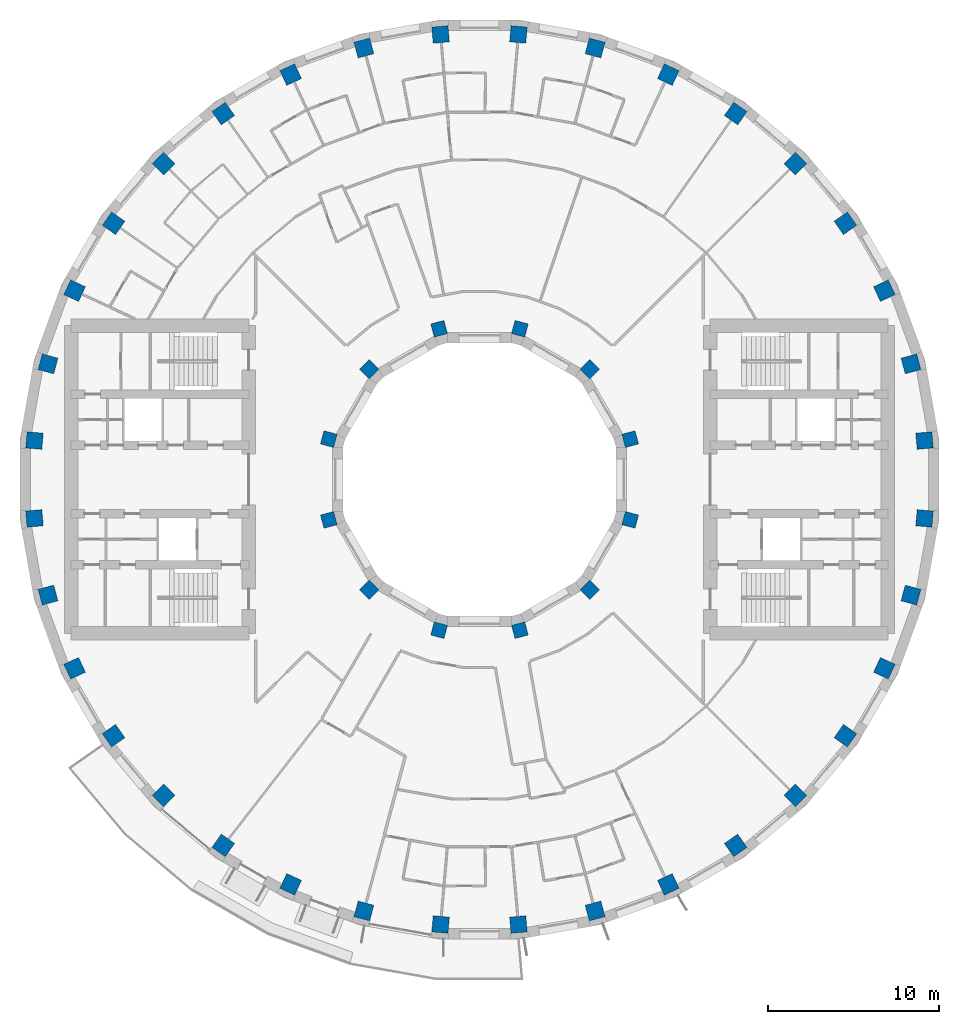
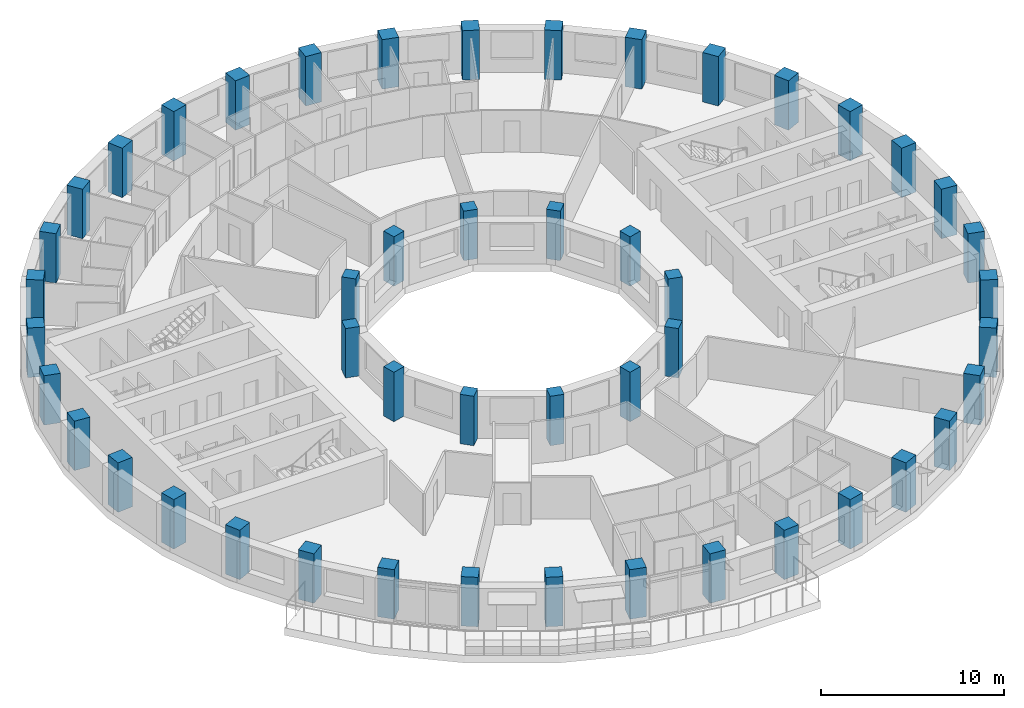
# One storey, part 1 of 14: 48 columns.
"""IFC4 building model written with IfcOpenShell, lengths in metres."""

from ifc_helpers import new_model, si_unit, direction, frame, origin, origin_2d, place, context, subcontext, project, spatial, rectangle, extrude, material, material_profile, profile_set, type_object, element, save


model = new_model("IFC4")

# Units and contexts
model_context = context("Model", 3, precision=1e-05, world=origin(), true_north=direction((0.0, 1.0)))
body_context = subcontext(model_context, "Body", "Model", "MODEL_VIEW")
ifc_project = project(units=[si_unit("LENGTHUNIT", "METRE"), si_unit("AREAUNIT", "SQUARE_METRE"), si_unit("VOLUMEUNIT", "CUBIC_METRE"), si_unit("PLANEANGLEUNIT", "RADIAN"), si_unit("MASSUNIT", "GRAM", prefix="KILO")], contexts=[model_context])

# Site, building, storey
site_placement = place(None, origin())
site = spatial("IfcSite", under=ifc_project, at=site_placement, CompositionType="ELEMENT")
building_placement = place(site_placement, origin())
building = spatial("IfcBuilding", under=site, at=building_placement, Name="Saqina Gate Tower", CompositionType="ELEMENT")
storey_placement = place(building_placement, frame((0.0, 0.0, 138.10009765625)))
storey = spatial("IfcBuildingStorey", under=building, at=storey_placement, Name="L39", CompositionType="ELEMENT", Elevation=138.10009765625)

# Columns
ifc_material_1 = material(Name="Concrete C70/85", Category="concrete")
ifc_material_profile_1 = material_profile(ifc_material_1, rectangle(XDim=0.800048828125, YDim=0.800048828125, at=origin_2d()), Name="RC 800x800")
ifc_profile_set_1 = profile_set([ifc_material_profile_1], Name="Concrete C70/85")
column_type_1 = type_object("IfcColumnType", Name="STR-COL-IN-B", PredefinedType="COLUMN", material=ifc_profile_set_1)
for number, where, z_axis, x_axis, name in (
    (1, (8.821044921875, 2.363525390625, 0.0), (0.0, 0.0, 1.0), (0.965925826289, 0.258819045103, 0.0), "L39-ICL01"),
    (2, (6.45751953125, 6.45751953125, 0.0), (0.0, 0.0, 1.0), (0.707106781187, 0.707106781187, 0.0), "L39-ICL02"),
    (3, (2.363525390625, 8.821044921875, 0.0), (0.0, 0.0, 1.0), (0.258819045103, 0.965925826289, 0.0), "L39-ICL03"),
    (4, (-2.363525390625, 8.821044921875, 0.0), (0.0, 0.0, 1.0), (-0.258819045103, 0.965925826289, 0.0), "L39-ICL04"),
    (5, (-6.45751953125, 6.45751953125, 0.0), (0.0, 0.0, 1.0), (-0.707106781187, 0.707106781187, 0.0), "L39-ICL05"),
    (6, (-8.821044921875, 2.363525390625, 0.0), (0.0, 0.0, 1.0), (-0.965925826289, 0.258819045103, 0.0), "L39-ICL06"),
    (7, (-8.821044921875, -2.363525390625, 0.0), (0.0, 0.0, 1.0), (-0.965925826289, -0.258819045103, 0.0), "L39-ICL07"),
    (8, (-6.45751953125, -6.45751953125, 0.0), (0.0, 0.0, 1.0), (-0.707106781187, -0.707106781187, 0.0), "L39-ICL08"),
    (9, (-2.363525390625, -8.821044921875, 0.0), (0.0, 0.0, 1.0), (-0.258819045103, -0.965925826289, 0.0), "L39-ICL09"),
    (10, (2.363525390625, -8.821044921875, 0.0), (0.0, 0.0, 1.0), (0.258819045103, -0.965925826289, 0.0), "L39-ICL10"),
    (11, (6.45751953125, -6.45751953125, 0.0), (0.0, 0.0, 1.0), (0.707106781187, -0.707106781187, 0.0), "L39-ICL11"),
    (12, (8.821044921875, -2.363525390625, 0.0), (0.0, 0.0, 1.0), (0.965925826289, -0.258819045103, 0.0), "L39-ICL12"),
):
    element("IfcColumn", number, at=place(storey_placement, frame(where, z_axis=z_axis, x_axis=x_axis)), inside=storey, type_object=column_type_1, Name=name, PredefinedType="COLUMN", context=body_context, shape_type="SweptSolid", body=[
        extrude(rectangle(XDim=0.800048828125, YDim=0.800048828125, at=origin_2d()), origin(), (0.0, 0.0, 1.0), 3.2998046875),
    ])
ifc_material_2 = material(Name="Concrete C70/85", Category="concrete")
ifc_material_profile_2 = material_profile(ifc_material_2, rectangle(XDim=0.949951171875, YDim=0.949951171875, at=origin_2d()), Name="RC 950x950")
ifc_profile_set_2 = profile_set([ifc_material_profile_2], Name="Concrete C70/85")
column_type_2 = type_object("IfcColumnType", Name="STR-COL-OUT-B", PredefinedType="COLUMN", material=ifc_profile_set_2)
for number, where, z_axis, x_axis, name in (
    (13, (26.050537109375, 2.279052734375, 0.0), (0.0, 0.0, 1.0), (0.996194698092, 0.087155742748, 0.0), "L39-COL01"),
    (14, (25.259033203125, 6.76806640625, 0.0), (0.0, 0.0, 1.0), (0.965925826289, 0.258819045103, 0.0), "L39-COL02"),
    (15, (23.699951171875, 11.051513671875, 0.0), (0.0, 0.0, 1.0), (0.906307787037, 0.422618261741, 0.0), "L39-COL03"),
    (16, (21.4208984375, 14.9990234375, 0.0), (0.0, 0.0, 1.0), (0.819152044289, 0.573576436351, 0.0), "L39-COL04"),
    (17, (18.49072265625, 18.49072265625, 0.0), (0.0, 0.0, 1.0), (0.707106781187, 0.707106781187, 0.0), "L39-COL05"),
    (18, (14.9990234375, 21.4208984375, 0.0), (0.0, 0.0, 1.0), (0.573576436351, 0.819152044289, 0.0), "L39-COL06"),
    (19, (11.051513671875, 23.699951171875, 0.0), (0.0, 0.0, 1.0), (0.422618261741, 0.906307787037, 0.0), "L39-COL07"),
    (20, (6.76806640625, 25.259033203125, 0.0), (0.0, 0.0, 1.0), (0.258819045103, 0.965925826289, 0.0), "L39-COL08"),
    (21, (2.279052734375, 26.050537109375, 0.0), (0.0, 0.0, 1.0), (0.087155742748, 0.996194698092, 0.0), "L39-COL09"),
    (22, (-2.279052734375, 26.050537109375, 0.0), (0.0, 0.0, 1.0), (-0.087155742748, 0.996194698092, 0.0), "L39-COL10"),
    (23, (-6.76806640625, 25.259033203125, 0.0), (0.0, 0.0, 1.0), (-0.258819045103, 0.965925826289, 0.0), "L39-COL11"),
    (24, (-11.051513671875, 23.699951171875, 0.0), (0.0, 0.0, 1.0), (-0.422618261741, 0.906307787037, 0.0), "L39-COL12"),
    (25, (-14.9990234375, 21.4208984375, 0.0), (0.0, 0.0, 1.0), (-0.573576436351, 0.819152044289, 0.0), "L39-COL13"),
    (26, (-18.49072265625, 18.49072265625, 0.0), (0.0, 0.0, 1.0), (-0.707106781187, 0.707106781187, 0.0), "L39-COL14"),
    (27, (-21.4208984375, 14.9990234375, 0.0), (0.0, 0.0, 1.0), (-0.819152044289, 0.573576436351, 0.0), "L39-COL15"),
    (28, (-23.699951171875, 11.051513671875, 0.0), (0.0, 0.0, 1.0), (-0.906307787037, 0.422618261741, 0.0), "L39-COL16"),
    (29, (-25.259033203125, 6.76806640625, 0.0), (0.0, 0.0, 1.0), (-0.965925826289, 0.258819045103, 0.0), "L39-COL17"),
    (30, (-26.050537109375, 2.279052734375, 0.0), (0.0, 0.0, 1.0), (-0.996194698092, 0.087155742748, 0.0), "L39-COL18"),
    (31, (-26.050537109375, -2.279052734375, 0.0), (0.0, 0.0, 1.0), (-0.996194698092, -0.087155742748, 0.0), "L39-COL19"),
    (32, (-25.259033203125, -6.76806640625, 0.0), (0.0, 0.0, 1.0), (-0.965925826289, -0.258819045103, 0.0), "L39-COL20"),
    (33, (-23.699951171875, -11.051513671875, 0.0), (0.0, 0.0, 1.0), (-0.906307787037, -0.422618261741, 0.0), "L39-COL21"),
    (34, (-21.4208984375, -14.9990234375, 0.0), (0.0, 0.0, 1.0), (-0.819152044289, -0.573576436351, 0.0), "L39-COL22"),
    (35, (-18.49072265625, -18.49072265625, 0.0), (0.0, 0.0, 1.0), (-0.707106781187, -0.707106781187, 0.0), "L39-COL23"),
    (36, (-14.9990234375, -21.4208984375, 0.0), (0.0, 0.0, 1.0), (-0.573576436351, -0.819152044289, 0.0), "L39-COL24"),
    (37, (-11.051513671875, -23.699951171875, 0.0), (0.0, 0.0, 1.0), (-0.422618261741, -0.906307787037, 0.0), "L39-COL25"),
    (38, (-6.76806640625, -25.259033203125, 0.0), (0.0, 0.0, 1.0), (-0.258819045103, -0.965925826289, 0.0), "L39-COL26"),
    (39, (-2.279052734375, -26.050537109375, 0.0), (0.0, 0.0, 1.0), (-0.087155742748, -0.996194698092, 0.0), "L39-COL27"),
    (40, (2.279052734375, -26.050537109375, 0.0), (0.0, 0.0, 1.0), (0.087155742748, -0.996194698092, 0.0), "L39-COL28"),
    (41, (6.76806640625, -25.259033203125, 0.0), (0.0, 0.0, 1.0), (0.258819045103, -0.965925826289, 0.0), "L39-COL29"),
    (42, (11.051513671875, -23.699951171875, 0.0), (0.0, 0.0, 1.0), (0.422618261741, -0.906307787037, 0.0), "L39-COL30"),
    (43, (14.9990234375, -21.4208984375, 0.0), (0.0, 0.0, 1.0), (0.573576436351, -0.819152044289, 0.0), "L39-COL31"),
    (44, (18.49072265625, -18.49072265625, 0.0), (0.0, 0.0, 1.0), (0.707106781187, -0.707106781187, 0.0), "L39-COL32"),
    (45, (21.4208984375, -14.9990234375, 0.0), (0.0, 0.0, 1.0), (0.819152044289, -0.573576436351, 0.0), "L39-COL33"),
    (46, (23.699951171875, -11.051513671875, 0.0), (0.0, 0.0, 1.0), (0.906307787037, -0.422618261741, 0.0), "L39-COL34"),
    (47, (25.259033203125, -6.76806640625, 0.0), (0.0, 0.0, 1.0), (0.965925826289, -0.258819045103, 0.0), "L39-COL35"),
    (48, (26.050537109375, -2.279052734375, 0.0), (0.0, 0.0, 1.0), (0.996194698092, -0.087155742748, 0.0), "L39-COL36"),
):
    element("IfcColumn", number, at=place(storey_placement, frame(where, z_axis=z_axis, x_axis=x_axis)), inside=storey, type_object=column_type_2, Name=name, PredefinedType="COLUMN", context=body_context, shape_type="SweptSolid", body=[
        extrude(rectangle(XDim=0.949951171875, YDim=0.949951171875, at=origin_2d()), origin(), (0.0, 0.0, 1.0), 3.2998046875),
    ])

save(model, "model.ifc")
